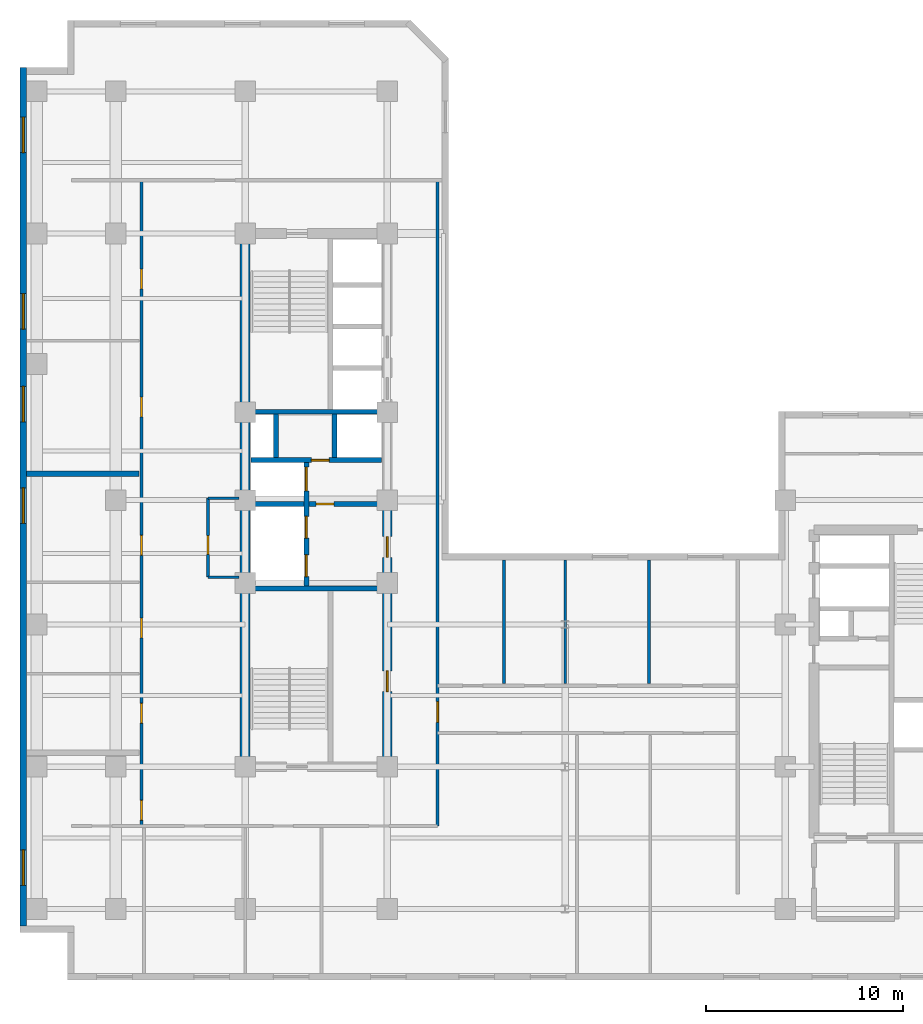
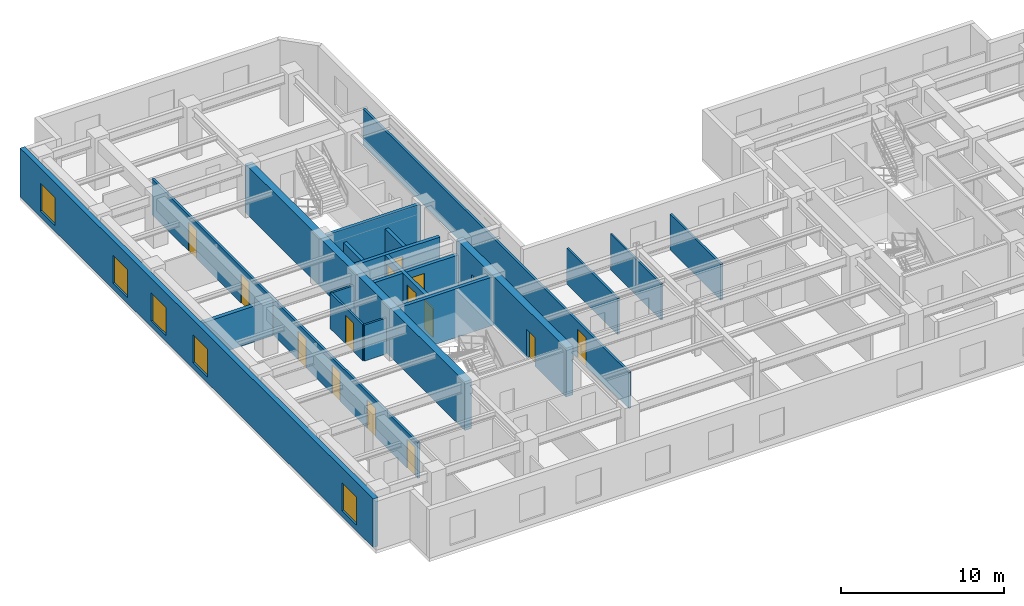
# One storey, part 4 of 9: 19 walls, 15 doors, 5 windows, 20 openings.
"""IFC4 building model written with IfcOpenShell, lengths in metres."""

from ifc_helpers import new_model, entity, si_unit, converted_unit, direction, frame, origin_with_axes, origin_2d_with_axis, place, context, subcontext, project, spatial, polyline, rectangle, outline, extrude, material, layer, layer_set, type_object, element, fill, save


model = new_model("IFC4")

# Units and contexts
model_context = context("Model", 3, precision=1e-05, world=origin_with_axes(), true_north=direction((0.0, 1.0)))
body_context = subcontext(model_context, "Body", "Model", "MODEL_VIEW")
ifc_project = project(units=[si_unit("LENGTHUNIT", "METRE"), si_unit("AREAUNIT", "SQUARE_METRE"), si_unit("VOLUMEUNIT", "CUBIC_METRE"), converted_unit("PLANEANGLEUNIT", "DEGREE", entity("IfcPlaneAngleMeasure", 0.017453292519943295), si_unit("PLANEANGLEUNIT", "RADIAN"), dimensions=[0, 0, 0, 0, 0, 0, 0]), si_unit("MASSUNIT", "GRAM", prefix="KILO"), si_unit("THERMODYNAMICTEMPERATUREUNIT", "KELVIN")], contexts=[model_context])

# Site, building, storey
site_placement = place(None, origin_with_axes())
site = spatial("IfcSite", under=ifc_project, at=site_placement, CompositionType="ELEMENT")
building_placement = place(site_placement, origin_with_axes())
building = spatial("IfcBuilding", under=site, at=building_placement, Name="Varnlund Millrace Tower", CompositionType="ELEMENT")
storey_placement = place(building_placement, frame((0.0, 0.0, 132.9), z_axis=(0.0, 0.0, 1.0), x_axis=(1.0, 0.0, 0.0)))
storey = spatial("IfcBuildingStorey", under=building, at=storey_placement, Name="L32", CompositionType="ELEMENT", Elevation=132.9)

# Wall
ifc_material_1 = material(Name="Concrete C70/85", Category="concrete")
ifc_layer_1 = layer(ifc_material_1, 0.5, Name="Concrete C70/85")
ifc_layer_set_1 = layer_set([ifc_layer_1], Name="Concrete C70/85")
wall_type_1 = type_object("IfcWallType", Name="Type-CoreWall-Shear-500-C70", PredefinedType="SHEAR", material=ifc_layer_set_1)
wall_1_placement = place(storey_placement, frame((11.4, 10.8, 0.0), z_axis=(0.0, 0.0, 1.0), x_axis=(0.0, 1.0, 0.0)))
element("IfcWall", 1, at=wall_1_placement, inside=storey, type_object=wall_type_1, Name="Type-CoreWall-Shear-500-C70", PredefinedType="SHEAR", context=body_context, shape_type="SweptSolid", body=[
    extrude(outline(polyline([(0.0, -0.25), (27.0, -0.25), (27.0, 0.25), (0.0, 0.25), (0.0, -0.25)])), origin_with_axes(), (0.0, 0.0, 1.0), 3.66),
])

# Wall, openings, doors
wall_2_placement = place(storey_placement, frame((18.6, 10.8, 0.0), z_axis=(0.0, 0.0, 1.0), x_axis=(0.0, 1.0, 0.0)))
wall_2 = element("IfcWall", 2, at=wall_2_placement, inside=storey, type_object=wall_type_1, Name="Type-CoreWall-Shear-500-C70", PredefinedType="SHEAR", context=body_context, shape_type="SweptSolid", body=[
    extrude(outline(polyline([(0.0, -0.25), (13.5, -0.25), (13.5, 0.25), (0.0, 0.25), (0.0, -0.25)])), origin_with_axes(), (0.0, 0.0, 1.0), 3.66),
])
opening_1_placement = place(wall_2_placement, frame((11.125, 0.0, 0.0), z_axis=(0.0, 0.0, 1.0), x_axis=(1.0, 0.0, 0.0)))
opening_1 = element("IfcOpeningElement", 3, at=opening_1_placement, cuts=wall_2, Name="Opening L32:DR-FFLOB-A", PredefinedType="OPENING", context=body_context, shape_type="SweptSolid", body=[
    extrude(rectangle(XDim=1.05, YDim=0.52, at=origin_2d_with_axis()), origin_with_axes(), (0.0, 0.0, 1.0), 2.15),
])
opening_2_placement = place(wall_2_placement, frame((4.325, 0.0, 0.0), z_axis=(0.0, 0.0, 1.0), x_axis=(1.0, 0.0, 0.0)))
opening_2 = element("IfcOpeningElement", 4, at=opening_2_placement, cuts=wall_2, Name="Opening L32:DR-RECL-A1", PredefinedType="OPENING", context=body_context, shape_type="SweptSolid", body=[
    extrude(rectangle(XDim=1.05, YDim=0.52, at=origin_2d_with_axis()), origin_with_axes(), (0.0, 0.0, 1.0), 2.15),
])
ifc_material_2 = material(Name="Smoke-barrier hollow steel fire door", Category="steel")
door_type_1 = type_object("IfcDoorType", Name="Type-FireDoor-Lobby-1050X2150", OperationType="NOTDEFINED", PredefinedType="DOOR", material=ifc_material_2)
door_1_placement = place(wall_2_placement, frame((11.125, 0.0, 0.0), z_axis=(0.0, 0.0, 1.0), x_axis=(1.0, 0.0, 0.0)))
door_1 = element("IfcDoor", 5, at=door_1_placement, inside=storey, type_object=door_type_1, Name="Type-FireDoor-Lobby-1050X2150", OperationType="SINGLE_SWING_LEFT", OverallHeight=2.15, OverallWidth=1.05, PredefinedType="DOOR", context=body_context, shape_type="SweptSolid", body=[
    extrude(rectangle(XDim=1.05, YDim=0.09, at=origin_2d_with_axis()), origin_with_axes(), (0.0, 0.0, 1.0), 2.15),
])
fill(opening_1, door_1)
door_2_placement = place(wall_2_placement, frame((4.325, 0.0, 0.0), z_axis=(0.0, 0.0, 1.0), x_axis=(1.0, 0.0, 0.0)))
door_2 = element("IfcDoor", 6, at=door_2_placement, inside=storey, type_object=door_type_1, Name="Type-FireDoor-Lobby-1050X2150", OperationType="SINGLE_SWING_LEFT", OverallHeight=2.15, OverallWidth=1.05, PredefinedType="DOOR", context=body_context, shape_type="SweptSolid", body=[
    extrude(rectangle(XDim=1.05, YDim=0.09, at=origin_2d_with_axis()), origin_with_axes(), (0.0, 0.0, 1.0), 2.15),
])
fill(opening_2, door_2)

# Wall, openings, windows
ifc_material_3 = material(Name="Precast concrete C50/60", Category="concrete")
ifc_layer_2 = layer(ifc_material_3, 0.34, Name="Precast concrete C50/60")
ifc_layer_set_2 = layer_set([ifc_layer_2], Name="Precast concrete C50/60")
wall_type_2 = type_object("IfcWallType", Name="Type-ExtWall-Precast-Upper-340", PredefinedType="SOLIDWALL", material=ifc_layer_set_2)
wall_3_placement = place(storey_placement, frame((0.17, 2.74, 0.0), z_axis=(0.0, 0.0, 1.0), x_axis=(0.0, 1.0, 0.0)))
wall_3 = element("IfcWall", 7, at=wall_3_placement, inside=storey, type_object=wall_type_2, Name="Type-ExtWall-Precast-Upper-340", PredefinedType="SOLIDWALL", context=body_context, shape_type="SweptSolid", body=[
    extrude(outline(polyline([(0.0, -0.17), (43.46, -0.17), (43.46, 0.17), (0.0, 0.17), (0.0, -0.17)])), origin_with_axes(), (0.0, 0.0, 1.0), 3.66),
])
opening_3_placement = place(wall_3_placement, frame((2.948, 0.0, 0.45), z_axis=(0.0, 0.0, 1.0), x_axis=(1.0, 0.0, 0.0)))
opening_3 = element("IfcOpeningElement", 8, at=opening_3_placement, cuts=wall_3, Name="Opening L32:WN-19", PredefinedType="OPENING", context=body_context, shape_type="SweptSolid", body=[
    extrude(rectangle(XDim=1.8, YDim=0.36, at=origin_2d_with_axis()), origin_with_axes(), (0.0, 0.0, 1.0), 2.1),
])
opening_4_placement = place(wall_3_placement, frame((21.28, 0.0, 0.45), z_axis=(0.0, 0.0, 1.0), x_axis=(1.0, 0.0, 0.0)))
opening_4 = element("IfcOpeningElement", 9, at=opening_4_placement, cuts=wall_3, Name="Opening L32:WN-20", PredefinedType="OPENING", context=body_context, shape_type="SweptSolid", body=[
    extrude(rectangle(XDim=1.8, YDim=0.36, at=origin_2d_with_axis()), origin_with_axes(), (0.0, 0.0, 1.0), 2.1),
])
opening_5_placement = place(wall_3_placement, frame((26.426, 0.0, 0.45), z_axis=(0.0, 0.0, 1.0), x_axis=(1.0, 0.0, 0.0)))
opening_5 = element("IfcOpeningElement", 10, at=opening_5_placement, cuts=wall_3, Name="Opening L32:WN-21", PredefinedType="OPENING", context=body_context, shape_type="SweptSolid", body=[
    extrude(rectangle(XDim=1.8, YDim=0.36, at=origin_2d_with_axis()), origin_with_axes(), (0.0, 0.0, 1.0), 2.1),
])
opening_6_placement = place(wall_3_placement, frame((31.121, 0.0, 0.45), z_axis=(0.0, 0.0, 1.0), x_axis=(1.0, 0.0, 0.0)))
opening_6 = element("IfcOpeningElement", 11, at=opening_6_placement, cuts=wall_3, Name="Opening L32:WN-22", PredefinedType="OPENING", context=body_context, shape_type="SweptSolid", body=[
    extrude(rectangle(XDim=1.8, YDim=0.36, at=origin_2d_with_axis()), origin_with_axes(), (0.0, 0.0, 1.0), 2.1),
])
opening_7_placement = place(wall_3_placement, frame((40.062, 0.0, 0.45), z_axis=(0.0, 0.0, 1.0), x_axis=(1.0, 0.0, 0.0)))
opening_7 = element("IfcOpeningElement", 12, at=opening_7_placement, cuts=wall_3, Name="Opening L32:WN-23", PredefinedType="OPENING", context=body_context, shape_type="SweptSolid", body=[
    extrude(rectangle(XDim=1.8, YDim=0.36, at=origin_2d_with_axis()), origin_with_axes(), (0.0, 0.0, 1.0), 2.1),
])
ifc_material_4 = material(Name="Argon low-e triple glazing in thermally broken bronze frame", Category="glass")
window_type = type_object("IfcWindowType", Name="Type-Window-Punched-1800X2100", PartitioningType="SINGLE_PANEL", PredefinedType="WINDOW", material=ifc_material_4)
window_1_placement = place(wall_3_placement, frame((2.948, 0.0, 0.45), z_axis=(0.0, 0.0, 1.0), x_axis=(1.0, 0.0, 0.0)))
window_1 = element("IfcWindow", 13, at=window_1_placement, inside=storey, type_object=window_type, Name="Type-Window-Punched-1800X2100", OverallHeight=2.1, OverallWidth=1.8, PredefinedType="WINDOW", context=body_context, shape_type="SweptSolid", body=[
    extrude(rectangle(XDim=1.8, YDim=0.09, at=origin_2d_with_axis()), origin_with_axes(), (0.0, 0.0, 1.0), 2.1),
])
fill(opening_3, window_1)
window_2_placement = place(wall_3_placement, frame((21.28, 0.0, 0.45), z_axis=(0.0, 0.0, 1.0), x_axis=(1.0, 0.0, 0.0)))
window_2 = element("IfcWindow", 14, at=window_2_placement, inside=storey, type_object=window_type, Name="Type-Window-Punched-1800X2100", OverallHeight=2.1, OverallWidth=1.8, PredefinedType="WINDOW", context=body_context, shape_type="SweptSolid", body=[
    extrude(rectangle(XDim=1.8, YDim=0.09, at=origin_2d_with_axis()), origin_with_axes(), (0.0, 0.0, 1.0), 2.1),
])
fill(opening_4, window_2)
window_3_placement = place(wall_3_placement, frame((26.426, 0.0, 0.45), z_axis=(0.0, 0.0, 1.0), x_axis=(1.0, 0.0, 0.0)))
window_3 = element("IfcWindow", 15, at=window_3_placement, inside=storey, type_object=window_type, Name="Type-Window-Punched-1800X2100", OverallHeight=2.1, OverallWidth=1.8, PredefinedType="WINDOW", context=body_context, shape_type="SweptSolid", body=[
    extrude(rectangle(XDim=1.8, YDim=0.09, at=origin_2d_with_axis()), origin_with_axes(), (0.0, 0.0, 1.0), 2.1),
])
fill(opening_5, window_3)
window_4_placement = place(wall_3_placement, frame((31.121, 0.0, 0.45), z_axis=(0.0, 0.0, 1.0), x_axis=(1.0, 0.0, 0.0)))
window_4 = element("IfcWindow", 16, at=window_4_placement, inside=storey, type_object=window_type, Name="Type-Window-Punched-1800X2100", OverallHeight=2.1, OverallWidth=1.8, PredefinedType="WINDOW", context=body_context, shape_type="SweptSolid", body=[
    extrude(rectangle(XDim=1.8, YDim=0.09, at=origin_2d_with_axis()), origin_with_axes(), (0.0, 0.0, 1.0), 2.1),
])
fill(opening_6, window_4)
window_5_placement = place(wall_3_placement, frame((40.062, 0.0, 0.45), z_axis=(0.0, 0.0, 1.0), x_axis=(1.0, 0.0, 0.0)))
window_5 = element("IfcWindow", 17, at=window_5_placement, inside=storey, type_object=window_type, Name="Type-Window-Punched-1800X2100", OverallHeight=2.1, OverallWidth=1.8, PredefinedType="WINDOW", context=body_context, shape_type="SweptSolid", body=[
    extrude(rectangle(XDim=1.8, YDim=0.09, at=origin_2d_with_axis()), origin_with_axes(), (0.0, 0.0, 1.0), 2.1),
])
fill(opening_7, window_5)

# Wall
ifc_material_5 = material(Name="Double-stud STC-60 conference acoustic partition", Category="gypsum")
ifc_layer_3 = layer(ifc_material_5, 0.28, Name="Double-stud STC-60 conference acoustic partition")
ifc_layer_set_3 = layer_set([ifc_layer_3], Name="Double-stud STC-60 conference acoustic partition")
wall_type_3 = type_object("IfcWallType", Name="Type-Partition-Acoustic-280", PredefinedType="PARTITIONING", material=ifc_layer_set_3)
wall_4_placement = place(storey_placement, frame((0.335, 25.646, 0.0), z_axis=(0.0, 0.0, 1.0), x_axis=(1.0, 0.0, 0.0)))
element("IfcWall", 18, at=wall_4_placement, inside=storey, type_object=wall_type_3, Name="Type-Partition-Acoustic-280", PredefinedType="PARTITIONING", context=body_context, shape_type="SweptSolid", body=[
    extrude(outline(polyline([(0.0, -0.14), (5.695, -0.14), (5.695, 0.14), (0.0, 0.14), (0.0, -0.14)])), origin_with_axes(), (0.0, 0.0, 1.0), 2.7),
])

# Wall, opening, door
ifc_material_6 = material(Name="Fire-rated gypsum board on cold-formed steel framing", Category="steel")
ifc_layer_4 = layer(ifc_material_6, 0.16, Name="Fire-rated gypsum board on cold-formed steel framing")
ifc_layer_set_4 = layer_set([ifc_layer_4], Name="Fire-rated gypsum board on cold-formed steel framing")
wall_type_4 = type_object("IfcWallType", Name="Type-Partition-Corridor-160", PredefinedType="PARTITIONING", material=ifc_layer_set_4)
wall_5_placement = place(storey_placement, frame((21.15, 7.8, 0.0), z_axis=(0.0, 0.0, 1.0), x_axis=(0.0, 1.0, 0.0)))
wall_5 = element("IfcWall", 19, at=wall_5_placement, inside=storey, type_object=wall_type_4, Name="Type-Partition-Corridor-160", PredefinedType="PARTITIONING", context=body_context, shape_type="SweptSolid", body=[
    extrude(outline(polyline([(0.0, -0.08), (32.7, -0.08), (32.7, 0.08), (0.0, 0.08), (0.0, -0.08)])), origin_with_axes(), (0.0, 0.0, 1.0), 2.7),
])
opening_8_placement = place(wall_5_placement, frame((5.775, 0.0, 0.0), z_axis=(0.0, 0.0, 1.0), x_axis=(1.0, 0.0, 0.0)))
opening_8 = element("IfcOpeningElement", 20, at=opening_8_placement, cuts=wall_5, Name="Opening L32:DR-KN-W", PredefinedType="OPENING", context=body_context, shape_type="SweptSolid", body=[
    extrude(rectangle(XDim=1.05, YDim=0.18, at=origin_2d_with_axis()), origin_with_axes(), (0.0, 0.0, 1.0), 2.15),
])
door_3_placement = place(wall_5_placement, frame((5.775, 0.0, 0.0), z_axis=(0.0, 0.0, 1.0), x_axis=(1.0, 0.0, 0.0)))
door_3 = element("IfcDoor", 21, at=door_3_placement, inside=storey, type_object=door_type_1, Name="Type-FireDoor-Lobby-1050X2150", OperationType="SINGLE_SWING_LEFT", OverallHeight=2.15, OverallWidth=1.05, PredefinedType="DOOR", context=body_context, shape_type="SweptSolid", body=[
    extrude(rectangle(XDim=1.05, YDim=0.09, at=origin_2d_with_axis()), origin_with_axes(), (0.0, 0.0, 1.0), 2.15),
])
fill(opening_8, door_3)

# Wall, openings, doors
wall_6_placement = place(storey_placement, frame((6.15, 7.8, 0.0), z_axis=(0.0, 0.0, 1.0), x_axis=(0.0, 1.0, 0.0)))
wall_6 = element("IfcWall", 22, at=wall_6_placement, inside=storey, type_object=wall_type_4, Name="Type-Partition-Corridor-160", PredefinedType="PARTITIONING", context=body_context, shape_type="SweptSolid", body=[
    extrude(outline(polyline([(0.0, -0.08), (32.7, -0.08), (32.7, 0.08), (0.0, 0.08), (0.0, -0.08)])), origin_with_axes(), (0.0, 0.0, 1.0), 2.7),
])
opening_9_placement = place(wall_6_placement, frame((0.8, 0.0, 0.0), z_axis=(0.0, 0.0, 1.0), x_axis=(1.0, 0.0, 0.0)))
opening_9 = element("IfcOpeningElement", 23, at=opening_9_placement, cuts=wall_6, Name="Opening L32:DR-W-01", PredefinedType="OPENING", context=body_context, shape_type="SweptSolid", body=[
    extrude(rectangle(XDim=1.0, YDim=0.18, at=origin_2d_with_axis()), origin_with_axes(), (0.0, 0.0, 1.0), 2.15),
])
opening_10_placement = place(wall_6_placement, frame((5.704, 0.0, 0.0), z_axis=(0.0, 0.0, 1.0), x_axis=(1.0, 0.0, 0.0)))
opening_10 = element("IfcOpeningElement", 24, at=opening_10_placement, cuts=wall_6, Name="Opening L32:DR-W-02", PredefinedType="OPENING", context=body_context, shape_type="SweptSolid", body=[
    extrude(rectangle(XDim=1.0, YDim=0.18, at=origin_2d_with_axis()), origin_with_axes(), (0.0, 0.0, 1.0), 2.15),
])
opening_11_placement = place(wall_6_placement, frame((10.0255, 0.0, 0.0), z_axis=(0.0, 0.0, 1.0), x_axis=(1.0, 0.0, 0.0)))
opening_11 = element("IfcOpeningElement", 25, at=opening_11_placement, cuts=wall_6, Name="Opening L32:DR-W-03", PredefinedType="OPENING", context=body_context, shape_type="SweptSolid", body=[
    extrude(rectangle(XDim=1.0, YDim=0.18, at=origin_2d_with_axis()), origin_with_axes(), (0.0, 0.0, 1.0), 2.15),
])
opening_12_placement = place(wall_6_placement, frame((14.217, 0.0, 0.0), z_axis=(0.0, 0.0, 1.0), x_axis=(1.0, 0.0, 0.0)))
opening_12 = element("IfcOpeningElement", 26, at=opening_12_placement, cuts=wall_6, Name="Opening L32:DR-W-04", PredefinedType="OPENING", context=body_context, shape_type="SweptSolid", body=[
    extrude(rectangle(XDim=1.0, YDim=0.18, at=origin_2d_with_axis()), origin_with_axes(), (0.0, 0.0, 1.0), 2.15),
])
opening_13_placement = place(wall_6_placement, frame((21.212, 0.0, 0.0), z_axis=(0.0, 0.0, 1.0), x_axis=(1.0, 0.0, 0.0)))
opening_13 = element("IfcOpeningElement", 27, at=opening_13_placement, cuts=wall_6, Name="Opening L32:DR-W-05", PredefinedType="OPENING", context=body_context, shape_type="SweptSolid", body=[
    extrude(rectangle(XDim=1.0, YDim=0.18, at=origin_2d_with_axis()), origin_with_axes(), (0.0, 0.0, 1.0), 2.15),
])
opening_14_placement = place(wall_6_placement, frame((27.694, 0.0, 0.0), z_axis=(0.0, 0.0, 1.0), x_axis=(1.0, 0.0, 0.0)))
opening_14 = element("IfcOpeningElement", 28, at=opening_14_placement, cuts=wall_6, Name="Opening L32:DR-W-06", PredefinedType="OPENING", context=body_context, shape_type="SweptSolid", body=[
    extrude(rectangle(XDim=1.0, YDim=0.18, at=origin_2d_with_axis()), origin_with_axes(), (0.0, 0.0, 1.0), 2.15),
])
ifc_material_7 = material(Name="Solid-core white oak and bronze frame door")
door_type_2 = type_object("IfcDoorType", Name="Type-IntDoor-Office-1000X2150", OperationType="NOTDEFINED", PredefinedType="DOOR", material=ifc_material_7)
door_4_placement = place(wall_6_placement, frame((0.8, 0.0, 0.0), z_axis=(0.0, 0.0, 1.0), x_axis=(1.0, 0.0, 0.0)))
door_4 = element("IfcDoor", 29, at=door_4_placement, inside=storey, type_object=door_type_2, Name="Type-IntDoor-Office-1000X2150", OperationType="SINGLE_SWING_LEFT", OverallHeight=2.15, OverallWidth=1.0, PredefinedType="DOOR", context=body_context, shape_type="SweptSolid", body=[
    extrude(rectangle(XDim=1.0, YDim=0.09, at=origin_2d_with_axis()), origin_with_axes(), (0.0, 0.0, 1.0), 2.15),
])
fill(opening_9, door_4)
door_5_placement = place(wall_6_placement, frame((5.704, 0.0, 0.0), z_axis=(0.0, 0.0, 1.0), x_axis=(1.0, 0.0, 0.0)))
door_5 = element("IfcDoor", 30, at=door_5_placement, inside=storey, type_object=door_type_2, Name="Type-IntDoor-Office-1000X2150", OperationType="SINGLE_SWING_RIGHT", OverallHeight=2.15, OverallWidth=1.0, PredefinedType="DOOR", context=body_context, shape_type="SweptSolid", body=[
    extrude(rectangle(XDim=1.0, YDim=0.09, at=origin_2d_with_axis()), origin_with_axes(), (0.0, 0.0, 1.0), 2.15),
])
fill(opening_10, door_5)
door_6_placement = place(wall_6_placement, frame((10.0255, 0.0, 0.0), z_axis=(0.0, 0.0, 1.0), x_axis=(1.0, 0.0, 0.0)))
door_6 = element("IfcDoor", 31, at=door_6_placement, inside=storey, type_object=door_type_2, Name="Type-IntDoor-Office-1000X2150", OperationType="SINGLE_SWING_LEFT", OverallHeight=2.15, OverallWidth=1.0, PredefinedType="DOOR", context=body_context, shape_type="SweptSolid", body=[
    extrude(rectangle(XDim=1.0, YDim=0.09, at=origin_2d_with_axis()), origin_with_axes(), (0.0, 0.0, 1.0), 2.15),
])
fill(opening_11, door_6)
door_7_placement = place(wall_6_placement, frame((14.217, 0.0, 0.0), z_axis=(0.0, 0.0, 1.0), x_axis=(1.0, 0.0, 0.0)))
door_7 = element("IfcDoor", 32, at=door_7_placement, inside=storey, type_object=door_type_2, Name="Type-IntDoor-Office-1000X2150", OperationType="SINGLE_SWING_RIGHT", OverallHeight=2.15, OverallWidth=1.0, PredefinedType="DOOR", context=body_context, shape_type="SweptSolid", body=[
    extrude(rectangle(XDim=1.0, YDim=0.09, at=origin_2d_with_axis()), origin_with_axes(), (0.0, 0.0, 1.0), 2.15),
])
fill(opening_12, door_7)
door_8_placement = place(wall_6_placement, frame((21.212, 0.0, 0.0), z_axis=(0.0, 0.0, 1.0), x_axis=(1.0, 0.0, 0.0)))
door_8 = element("IfcDoor", 33, at=door_8_placement, inside=storey, type_object=door_type_2, Name="Type-IntDoor-Office-1000X2150", OperationType="SINGLE_SWING_LEFT", OverallHeight=2.15, OverallWidth=1.0, PredefinedType="DOOR", context=body_context, shape_type="SweptSolid", body=[
    extrude(rectangle(XDim=1.0, YDim=0.09, at=origin_2d_with_axis()), origin_with_axes(), (0.0, 0.0, 1.0), 2.15),
])
fill(opening_13, door_8)
door_9_placement = place(wall_6_placement, frame((27.694, 0.0, 0.0), z_axis=(0.0, 0.0, 1.0), x_axis=(1.0, 0.0, 0.0)))
door_9 = element("IfcDoor", 34, at=door_9_placement, inside=storey, type_object=door_type_2, Name="Type-IntDoor-Office-1000X2150", OperationType="SINGLE_SWING_RIGHT", OverallHeight=2.15, OverallWidth=1.0, PredefinedType="DOOR", context=body_context, shape_type="SweptSolid", body=[
    extrude(rectangle(XDim=1.0, YDim=0.09, at=origin_2d_with_axis()), origin_with_axes(), (0.0, 0.0, 1.0), 2.15),
])
fill(opening_14, door_9)

# Walls
ifc_material_8 = material(Name="Acoustic STC-50 gypsum board partition", Category="gypsum")
ifc_layer_5 = layer(ifc_material_8, 0.15, Name="Acoustic STC-50 gypsum board partition")
ifc_layer_set_5 = layer_set([ifc_layer_5], Name="Acoustic STC-50 gypsum board partition")
wall_type_5 = type_object("IfcWallType", Name="Type-Partition-Demising-150", PredefinedType="PARTITIONING", material=ifc_layer_set_5)
for number, where, z_axis, x_axis, name in (
    (35, (24.517, 15.02, 0.0), (0.0, 0.0, 1.0), (0.0, 1.0, 0.0), "Type-Partition-Demising-150"),
    (36, (31.851, 15.02, 0.0), (0.0, 0.0, 1.0), (0.0, 1.0, 0.0), "Type-Partition-Demising-150"),
):
    element("IfcWall", number, at=place(storey_placement, frame(where, z_axis=z_axis, x_axis=x_axis)), inside=storey, type_object=wall_type_5, Name=name, PredefinedType="PARTITIONING", context=body_context, shape_type="SweptSolid", body=[
        extrude(outline(polyline([(0.0, -0.075), (6.245, -0.075), (6.245, 0.075), (0.0, 0.075), (0.0, -0.075)])), origin_with_axes(), (0.0, 0.0, 1.0), 2.7),
    ])
ifc_material_9 = material(Name="Gypsum board tenant partition", Category="gypsum")
ifc_layer_6 = layer(ifc_material_9, 0.125, Name="Gypsum board tenant partition")
ifc_layer_set_6 = layer_set([ifc_layer_6], Name="Gypsum board tenant partition")
wall_type_6 = type_object("IfcWallType", Name="Type-Partition-Tenant-125", PredefinedType="PARTITIONING", material=ifc_layer_set_6)
wall_7_placement = place(storey_placement, frame((27.6, 15.02, 0.0), z_axis=(0.0, 0.0, 1.0), x_axis=(0.0, 1.0, 0.0)))
element("IfcWall", 37, at=wall_7_placement, inside=storey, type_object=wall_type_6, Name="Type-Partition-Tenant-125", PredefinedType="PARTITIONING", context=body_context, shape_type="SweptSolid", body=[
    extrude(outline(polyline([(0.0, -0.0625), (6.245, -0.0625), (6.245, 0.0625), (0.0, 0.0625), (0.0, -0.0625)])), origin_with_axes(), (0.0, 0.0, 1.0), 2.7),
])

# Wall, opening, door
ifc_material_10 = material(Name="Moisture-resistant gypsum restroom partition", Category="gypsum")
ifc_layer_7 = layer(ifc_material_10, 0.14, Name="Moisture-resistant gypsum restroom partition")
ifc_layer_set_7 = layer_set([ifc_layer_7], Name="Moisture-resistant gypsum restroom partition")
wall_type_7 = type_object("IfcWallType", Name="Type-Partition-Wet-140", PredefinedType="PARTITIONING", material=ifc_layer_set_7)
wall_8_placement = place(storey_placement, frame((9.52, 20.4, 0.0), z_axis=(0.0, 0.0, 1.0), x_axis=(0.0, 1.0, 0.0)))
wall_8 = element("IfcWall", 38, at=wall_8_placement, inside=storey, type_object=wall_type_7, Name="Type-Partition-Wet-140", PredefinedType="PARTITIONING", context=body_context, shape_type="SweptSolid", body=[
    extrude(outline(polyline([(0.0, -0.07), (4.0, -0.07), (4.0, 0.07), (0.0, 0.07), (0.0, -0.07)])), origin_with_axes(), (0.0, 0.0, 1.0), 2.7),
])
opening_15_placement = place(wall_8_placement, frame((1.625, 0.0, 0.0), z_axis=(0.0, 0.0, 1.0), x_axis=(1.0, 0.0, 0.0)))
opening_15 = element("IfcOpeningElement", 39, at=opening_15_placement, cuts=wall_8, Name="Opening L32:DR-CA-WCW", PredefinedType="OPENING", context=body_context, shape_type="SweptSolid", body=[
    extrude(rectangle(XDim=0.95, YDim=0.16, at=origin_2d_with_axis()), origin_with_axes(), (0.0, 0.0, 1.0), 2.15),
])
ifc_material_11 = material(Name="Solid-core acoustic office door")
door_type_3 = type_object("IfcDoorType", Name="Type-IntDoor-Tenant-950X2150", OperationType="NOTDEFINED", PredefinedType="DOOR", material=ifc_material_11)
door_10_placement = place(wall_8_placement, frame((1.625, 0.0, 0.0), z_axis=(0.0, 0.0, 1.0), x_axis=(1.0, 0.0, 0.0)))
door_10 = element("IfcDoor", 40, at=door_10_placement, inside=storey, type_object=door_type_3, Name="Type-IntDoor-Tenant-950X2150", OperationType="SINGLE_SWING_LEFT", OverallHeight=2.15, OverallWidth=0.95, PredefinedType="DOOR", context=body_context, shape_type="SweptSolid", body=[
    extrude(rectangle(XDim=0.95, YDim=0.084, at=origin_2d_with_axis()), origin_with_axes(), (0.0, 0.0, 1.0), 2.15),
])
fill(opening_15, door_10)

# Walls
for number, where, z_axis, x_axis, name in (
    (41, (9.52, 20.4, 0.0), (0.0, 0.0, 1.0), (1.0, 0.0, 0.0), "Type-Partition-Wet-140"),
    (42, (9.52, 24.4, 0.0), (0.0, 0.0, 1.0), (1.0, 0.0, 0.0), "Type-Partition-Wet-140"),
):
    element("IfcWall", number, at=place(storey_placement, frame(where, z_axis=z_axis, x_axis=x_axis)), inside=storey, type_object=wall_type_7, Name=name, PredefinedType="PARTITIONING", context=body_context, shape_type="SweptSolid", body=[
        extrude(outline(polyline([(0.0, -0.07), (1.58, -0.07), (1.58, 0.07), (0.0, 0.07), (0.0, -0.07)])), origin_with_axes(), (0.0, 0.0, 1.0), 2.7),
    ])

# Wall, openings, doors
ifc_material_12 = material(Name="Concrete C60/75", Category="concrete")
ifc_layer_8 = layer(ifc_material_12, 0.25, Name="Concrete C60/75")
ifc_layer_set_8 = layer_set([ifc_layer_8], Name="Concrete C60/75")
wall_type_8 = type_object("IfcWallType", Name="Type-ShaftWall-Fire-250", PredefinedType="SOLIDWALL", material=ifc_layer_set_8)
wall_9_placement = place(storey_placement, frame((14.5, 19.95, 0.0), z_axis=(0.0, 0.0, 1.0), x_axis=(0.0, 1.0, 0.0)))
wall_9 = element("IfcWall", 43, at=wall_9_placement, inside=storey, type_object=wall_type_8, Name="Type-ShaftWall-Fire-250", PredefinedType="SOLIDWALL", context=body_context, shape_type="SweptSolid", body=[
    extrude(outline(polyline([(0.0, -0.125), (6.25, -0.125), (6.25, 0.125), (0.0, 0.125), (0.0, -0.125)])), origin_with_axes(), (0.0, 0.0, 1.0), 2.7),
])
opening_16_placement = place(wall_9_placement, frame((1.025, 0.0, 0.0), z_axis=(0.0, 0.0, 1.0), x_axis=(1.0, 0.0, 0.0)))
opening_16 = element("IfcOpeningElement", 44, at=opening_16_placement, cuts=wall_9, Name="Opening L32:LD-FSAE1", PredefinedType="OPENING", context=body_context, shape_type="SweptSolid", body=[
    extrude(rectangle(XDim=1.1, YDim=0.27, at=origin_2d_with_axis()), origin_with_axes(), (0.0, 0.0, 1.0), 2.15),
])
opening_17_placement = place(wall_9_placement, frame((2.975, 0.0, 0.0), z_axis=(0.0, 0.0, 1.0), x_axis=(1.0, 0.0, 0.0)))
opening_17 = element("IfcOpeningElement", 45, at=opening_17_placement, cuts=wall_9, Name="Opening L32:LD-FSAE2", PredefinedType="OPENING", context=body_context, shape_type="SweptSolid", body=[
    extrude(rectangle(XDim=1.1, YDim=0.27, at=origin_2d_with_axis()), origin_with_axes(), (0.0, 0.0, 1.0), 2.15),
])
opening_18_placement = place(wall_9_placement, frame((5.425, 0.0, 0.0), z_axis=(0.0, 0.0, 1.0), x_axis=(1.0, 0.0, 0.0)))
opening_18 = element("IfcOpeningElement", 46, at=opening_18_placement, cuts=wall_9, Name="Opening L32:LD-SRV1", PredefinedType="OPENING", context=body_context, shape_type="SweptSolid", body=[
    extrude(rectangle(XDim=1.2, YDim=0.27, at=origin_2d_with_axis()), origin_with_axes(), (0.0, 0.0, 1.0), 2.15),
])
ifc_material_13 = material(Name="Stainless and architectural bronze sliding landing door")
door_type_4 = type_object("IfcDoorType", Name="Type-LiftLandingDoor-1100X2150", OperationType="NOTDEFINED", PredefinedType="DOOR", material=ifc_material_13)
door_11_placement = place(wall_9_placement, frame((1.025, 0.0, 0.0), z_axis=(0.0, 0.0, 1.0), x_axis=(1.0, 0.0, 0.0)))
door_11 = element("IfcDoor", 47, at=door_11_placement, inside=storey, type_object=door_type_4, Name="Type-LiftLandingDoor-1100X2150", OperationType="SLIDING_TO_LEFT", OverallHeight=2.15, OverallWidth=1.1, PredefinedType="DOOR", context=body_context, shape_type="SweptSolid", body=[
    extrude(rectangle(XDim=1.1, YDim=0.09, at=origin_2d_with_axis()), origin_with_axes(), (0.0, 0.0, 1.0), 2.15),
])
fill(opening_16, door_11)
door_12_placement = place(wall_9_placement, frame((2.975, 0.0, 0.0), z_axis=(0.0, 0.0, 1.0), x_axis=(1.0, 0.0, 0.0)))
door_12 = element("IfcDoor", 48, at=door_12_placement, inside=storey, type_object=door_type_4, Name="Type-LiftLandingDoor-1100X2150", OperationType="SLIDING_TO_RIGHT", OverallHeight=2.15, OverallWidth=1.1, PredefinedType="DOOR", context=body_context, shape_type="SweptSolid", body=[
    extrude(rectangle(XDim=1.1, YDim=0.09, at=origin_2d_with_axis()), origin_with_axes(), (0.0, 0.0, 1.0), 2.15),
])
fill(opening_17, door_12)
ifc_material_14 = material(Name="Heavy-duty freight sliding landing door")
door_type_5 = type_object("IfcDoorType", Name="Type-LiftLandingDoor-Service-1200X2150", OperationType="NOTDEFINED", PredefinedType="DOOR", material=ifc_material_14)
door_13_placement = place(wall_9_placement, frame((5.425, 0.0, 0.0), z_axis=(0.0, 0.0, 1.0), x_axis=(1.0, 0.0, 0.0)))
door_13 = element("IfcDoor", 49, at=door_13_placement, inside=storey, type_object=door_type_5, Name="Type-LiftLandingDoor-Service-1200X2150", OperationType="DOUBLE_DOOR_SLIDING", OverallHeight=2.15, OverallWidth=1.2, PredefinedType="DOOR", context=body_context, shape_type="SweptSolid", body=[
    extrude(rectangle(XDim=1.2, YDim=0.09, at=origin_2d_with_axis()), origin_with_axes(), (0.0, 0.0, 1.0), 2.15),
])
fill(opening_18, door_13)

# Wall, opening, door
wall_10_placement = place(storey_placement, frame((11.7, 24.1, 0.0), z_axis=(0.0, 0.0, 1.0), x_axis=(1.0, 0.0, 0.0)))
wall_10 = element("IfcWall", 50, at=wall_10_placement, inside=storey, type_object=wall_type_8, Name="Type-ShaftWall-Fire-250", PredefinedType="SOLIDWALL", context=body_context, shape_type="SweptSolid", body=[
    extrude(outline(polyline([(0.0, -0.125), (6.6, -0.125), (6.6, 0.125), (0.0, 0.125), (0.0, -0.125)])), origin_with_axes(), (0.0, 0.0, 1.0), 2.7),
])
opening_19_placement = place(wall_10_placement, frame((3.75, 0.0, 0.0), z_axis=(0.0, 0.0, 1.0), x_axis=(1.0, 0.0, 0.0)))
opening_19 = element("IfcOpeningElement", 51, at=opening_19_placement, cuts=wall_10, Name="Opening L32:DR-CA-SRV1", PredefinedType="OPENING", context=body_context, shape_type="SweptSolid", body=[
    extrude(rectangle(XDim=0.9, YDim=0.27, at=origin_2d_with_axis()), origin_with_axes(), (0.0, 0.0, 1.0), 2.15),
])
ifc_material_15 = material(Name="Fire-rated hollow steel service closet door", Category="steel")
door_type_6 = type_object("IfcDoorType", Name="Type-FireDoor-Closet-900X2150", OperationType="NOTDEFINED", PredefinedType="DOOR", material=ifc_material_15)
door_14_placement = place(wall_10_placement, frame((3.75, 0.0, 0.0), z_axis=(0.0, 0.0, 1.0), x_axis=(1.0, 0.0, 0.0)))
door_14 = element("IfcDoor", 52, at=door_14_placement, inside=storey, type_object=door_type_6, Name="Type-FireDoor-Closet-900X2150", OperationType="SINGLE_SWING_LEFT", OverallHeight=2.15, OverallWidth=0.9, PredefinedType="DOOR", context=body_context, shape_type="SweptSolid", body=[
    extrude(rectangle(XDim=0.9, YDim=0.09, at=origin_2d_with_axis()), origin_with_axes(), (0.0, 0.0, 1.0), 2.15),
])
fill(opening_19, door_14)

wall_11_placement = place(storey_placement, frame((11.7, 26.325, 0.0), z_axis=(0.0, 0.0, 1.0), x_axis=(1.0, 0.0, 0.0)))
wall_11 = element("IfcWall", 53, at=wall_11_placement, inside=storey, type_object=wall_type_8, Name="Type-ShaftWall-Fire-250", PredefinedType="SOLIDWALL", context=body_context, shape_type="SweptSolid", body=[
    extrude(outline(polyline([(0.0, -0.125), (6.6, -0.125), (6.6, 0.125), (0.0, 0.125), (0.0, -0.125)])), origin_with_axes(), (0.0, 0.0, 1.0), 2.7),
])
opening_20_placement = place(wall_11_placement, frame((3.5, 0.0, 0.0), z_axis=(0.0, 0.0, 1.0), x_axis=(1.0, 0.0, 0.0)))
opening_20 = element("IfcOpeningElement", 54, at=opening_20_placement, cuts=wall_11, Name="Opening L32:DR-CA-ELC", PredefinedType="OPENING", context=body_context, shape_type="SweptSolid", body=[
    extrude(rectangle(XDim=0.9, YDim=0.27, at=origin_2d_with_axis()), origin_with_axes(), (0.0, 0.0, 1.0), 2.15),
])
door_15_placement = place(wall_11_placement, frame((3.5, 0.0, 0.0), z_axis=(0.0, 0.0, 1.0), x_axis=(1.0, 0.0, 0.0)))
door_15 = element("IfcDoor", 55, at=door_15_placement, inside=storey, type_object=door_type_6, Name="Type-FireDoor-Closet-900X2150", OperationType="SINGLE_SWING_LEFT", OverallHeight=2.15, OverallWidth=0.9, PredefinedType="DOOR", context=body_context, shape_type="SweptSolid", body=[
    extrude(rectangle(XDim=0.9, YDim=0.09, at=origin_2d_with_axis()), origin_with_axes(), (0.0, 0.0, 1.0), 2.15),
])
fill(opening_20, door_15)

# Walls
for number, where, z_axis, x_axis, name in (
    (56, (12.96, 26.45, 0.0), (0.0, 0.0, 1.0), (0.0, 1.0, 0.0), "Type-ShaftWall-Fire-250"),
    (57, (15.925, 26.45, 0.0), (0.0, 0.0, 1.0), (0.0, 1.0, 0.0), "Type-ShaftWall-Fire-250"),
):
    element("IfcWall", number, at=place(storey_placement, frame(where, z_axis=z_axis, x_axis=x_axis)), inside=storey, type_object=wall_type_8, Name=name, PredefinedType="SOLIDWALL", context=body_context, shape_type="SweptSolid", body=[
        extrude(outline(polyline([(0.0, -0.125), (2.2, -0.125), (2.2, 0.125), (0.0, 0.125), (0.0, -0.125)])), origin_with_axes(), (0.0, 0.0, 1.0), 2.7),
    ])
wall_type_9 = type_object("IfcWallType", Name="Type-StairWall-Shear-250", PredefinedType="SHEAR", material=ifc_layer_set_8)
for number, where, z_axis, x_axis, name in (
    (58, (11.65, 19.825, 0.0), (0.0, 0.0, 1.0), (1.0, 0.0, 0.0), "Type-StairWall-Shear-250"),
    (59, (11.65, 28.775, 0.0), (0.0, 0.0, 1.0), (1.0, 0.0, 0.0), "Type-StairWall-Shear-250"),
):
    element("IfcWall", number, at=place(storey_placement, frame(where, z_axis=z_axis, x_axis=x_axis)), inside=storey, type_object=wall_type_9, Name=name, PredefinedType="SHEAR", context=body_context, shape_type="SweptSolid", body=[
        extrude(outline(polyline([(0.0, -0.125), (6.7, -0.125), (6.7, 0.125), (0.0, 0.125), (0.0, -0.125)])), origin_with_axes(), (0.0, 0.0, 1.0), 3.66),
    ])

save(model, "model.ifc")
